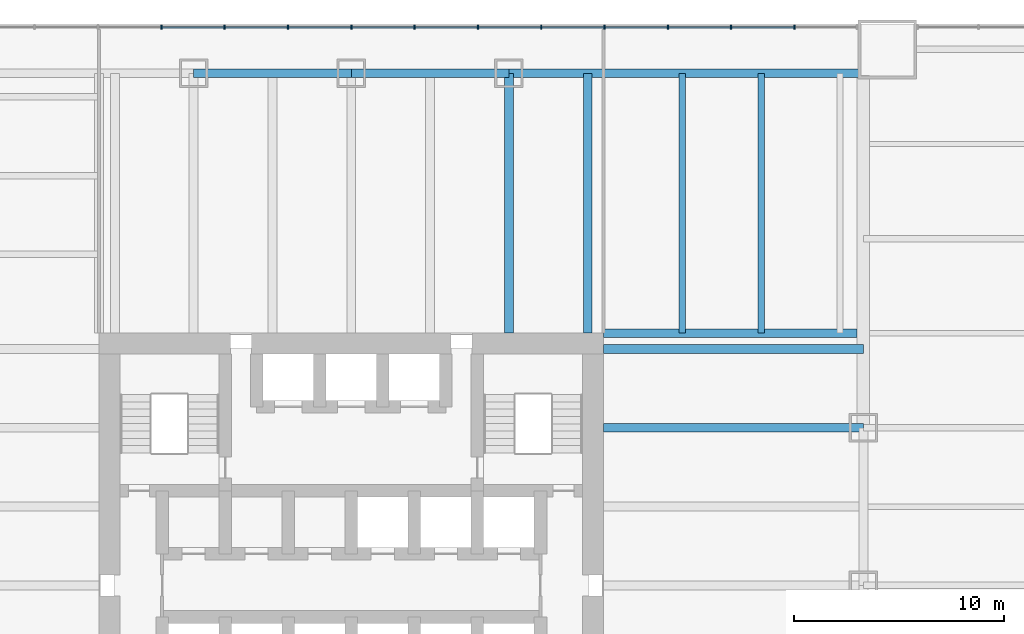
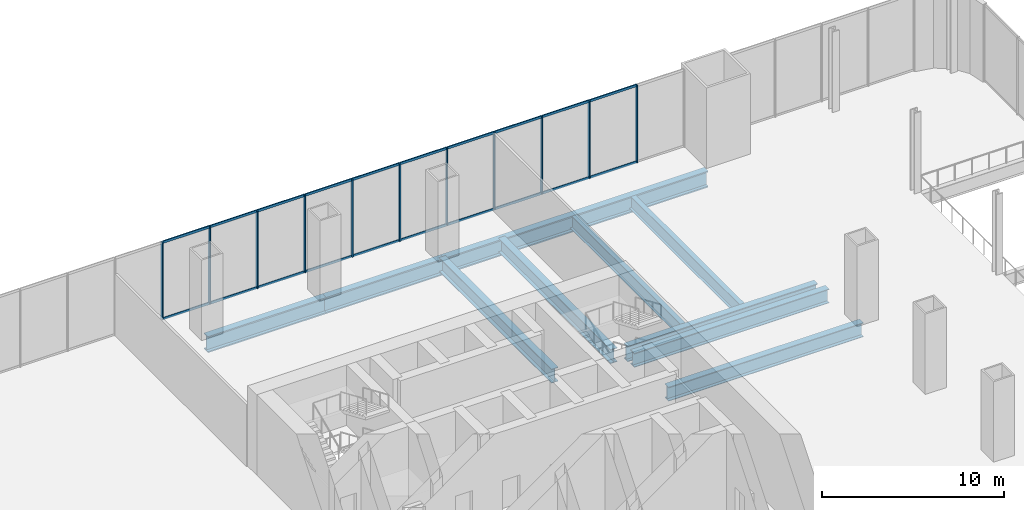
# One storey, part 8 of 17: 31 members, 10 beams, 1 element without a shape of its own.
"""IFC4 building model written with IfcOpenShell, lengths in metres."""

from ifc_helpers import new_model, si_unit, direction, frame, origin, origin_2d, place, context, subcontext, project, spatial, rectangle, i_section, extrude, material, material_profile, profile_set, type_object, element, aggregate, save


model = new_model("IFC4")

# Units and contexts
model_context = context("Model", 3, precision=1e-05, world=origin(), true_north=direction((0.0, 1.0)))
body_context = subcontext(model_context, "Body", "Model", "MODEL_VIEW")
ifc_project = project(units=[si_unit("LENGTHUNIT", "METRE"), si_unit("AREAUNIT", "SQUARE_METRE"), si_unit("VOLUMEUNIT", "CUBIC_METRE"), si_unit("PLANEANGLEUNIT", "RADIAN"), si_unit("MASSUNIT", "GRAM", prefix="KILO")], contexts=[model_context])

# Site, building, storey
site_placement = place(None, origin())
site = spatial("IfcSite", under=ifc_project, at=site_placement, CompositionType="ELEMENT")
building_placement = place(site_placement, origin())
building = spatial("IfcBuilding", under=site, at=building_placement, Name="Tarangal Relay Tower", CompositionType="ELEMENT")
storey_placement = place(building_placement, frame((0.0, 0.0, 18.0)))
storey = spatial("IfcBuildingStorey", under=building, at=storey_placement, Name="L03", CompositionType="ELEMENT", Elevation=18.0)

# Beams
ifc_material_1 = material(Name="Steel ASTM A992", Category="steel")
ifc_material_profile_1 = material_profile(ifc_material_1, i_section(OverallWidth=0.307373046875, OverallDepth=0.927001953125, WebThickness=0.019287109375, FlangeThickness=0.031982421875, at=origin_2d()), Name="W36X194")
ifc_profile_set_1 = profile_set([ifc_material_profile_1], Name="Steel ASTM A992")
beam_type_1 = type_object("IfcBeamType", Name="Corner beam W36X194", PredefinedType="JOIST", material=ifc_profile_set_1)
for number, where, z_axis, x_axis, name in (
    (1, (15.75, 12.0, -0.713623046875), (0.0, 1.0, 0.0), (-1.0, 0.0, 0.0), "Corner beam CB10 N L03"),
    (2, (19.5, 12.0, -0.713623046875), (0.0, 1.0, 0.0), (-1.0, 0.0, 0.0), "Corner beam CB10 N L03"),
):
    element("IfcBeam", number, at=place(storey_placement, frame(where, z_axis=z_axis, x_axis=x_axis)), inside=storey, type_object=beam_type_1, Name=name, PredefinedType="JOIST", context=body_context, shape_type="SweptSolid", body=[
        extrude(i_section(OverallWidth=0.307373046875, OverallDepth=0.927001953125, WebThickness=0.019287109375, FlangeThickness=0.031982421875, at=origin_2d()), origin(), (0.0, 0.0, 1.0), 12.364990234375),
    ])
ifc_material_profile_2 = material_profile(ifc_material_1, i_section(OverallWidth=0.408935546875, OverallDepth=1.04150390625, WebThickness=0.031005859375, FlangeThickness=0.055908203125, at=origin_2d()), Name="W40X397")
ifc_profile_set_2 = profile_set([ifc_material_profile_2], Name="Steel ASTM A992")
beam_type_2 = type_object("IfcBeamType", Name="Corner girder W40X397", PredefinedType="BEAM", material=ifc_profile_set_2)
beam_1_placement = place(storey_placement, frame((12.0, 12.0, -0.770751953125), z_axis=(1.0, 0.0, 0.0), x_axis=(0.0, 1.0, 0.0)))
element("IfcBeam", 3, at=beam_1_placement, inside=storey, type_object=beam_type_2, Name="Corner girder CG1 N L03", PredefinedType="BEAM", context=body_context, shape_type="SweptSolid", body=[
    extrude(i_section(OverallWidth=0.408935546875, OverallDepth=1.04150390625, WebThickness=0.031005859375, FlangeThickness=0.055908203125, at=origin_2d()), origin(), (0.0, 0.0, 1.0), 12.06494140625),
])
ifc_material_profile_3 = material_profile(ifc_material_1, i_section(OverallWidth=0.42431640625, OverallDepth=1.09228515625, WebThickness=0.04541015625, FlangeThickness=0.08203125, at=origin_2d()), Name="W40X593")
ifc_profile_set_3 = profile_set([ifc_material_profile_3], Name="Steel ASTM A992")
beam_type_3 = type_object("IfcBeamType", Name="Edge girder W40X593", PredefinedType="SPANDREL", material=ifc_profile_set_3)
for number, where, z_axis, x_axis, name in (
    (4, (-7.5, 24.364990234375, -0.796142578125), (1.0, 0.0, 0.0), (0.0, 1.0, 0.0), "Edge girder EG9 N L03"),
    (5, (0.0, 24.364990234375, -0.796142578125), (1.0, 0.0, 0.0), (0.0, 1.0, 0.0), "Edge girder EG9 N L03"),
):
    element("IfcBeam", number, at=place(storey_placement, frame(where, z_axis=z_axis, x_axis=x_axis)), inside=storey, type_object=beam_type_3, Name=name, PredefinedType="SPANDREL", context=body_context, shape_type="SweptSolid", body=[
        extrude(i_section(OverallWidth=0.42431640625, OverallDepth=1.09228515625, WebThickness=0.04541015625, FlangeThickness=0.08203125, at=origin_2d()), origin(), (0.0, 0.0, 1.0), 7.5),
    ])
beam_2_placement = place(storey_placement, frame((7.5, 24.364990234375, -0.796142578125), z_axis=(1.0, 0.0, 0.0), x_axis=(0.0, 1.0, 0.0)))
element("IfcBeam", 6, at=beam_2_placement, inside=storey, type_object=beam_type_3, Name="Edge girder EG9 N L03", PredefinedType="SPANDREL", context=body_context, shape_type="SweptSolid", body=[
    extrude(i_section(OverallWidth=0.42431640625, OverallDepth=1.09228515625, WebThickness=0.04541015625, FlangeThickness=0.08203125, at=origin_2d()), origin(), (0.0, 0.0, 1.0), 16.75),
])
ifc_material_profile_4 = material_profile(ifc_material_1, i_section(OverallWidth=0.42431640625, OverallDepth=0.947509765625, WebThickness=0.02392578125, FlangeThickness=0.042724609375, at=origin_2d()), Name="W36X302")
ifc_profile_set_4 = profile_set([ifc_material_profile_4], Name="Steel ASTM A992")
beam_type_4 = type_object("IfcBeamType", Name="Floor beam W36X302", PredefinedType="BEAM", material=ifc_profile_set_4)
for number, where, z_axis, x_axis, name in (
    (7, (7.5, 12.0, -0.7236328125), (0.0, 1.0, 0.0), (-1.0, 0.0, 0.0), "Floor beam RB10 N L03"),
    (8, (11.25, 12.0, -0.7236328125), (0.0, 1.0, 0.0), (-1.0, 0.0, 0.0), "Floor beam RB10 N L03"),
    (9, (12.0, 11.25, -0.7236328125), (1.0, 0.0, 0.0), (0.0, 1.0, 0.0), "Floor beam RB10 E L03"),
    (10, (12.0, 7.5, -0.7236328125), (1.0, 0.0, 0.0), (0.0, 1.0, 0.0), "Floor beam RB10 E L03"),
):
    element("IfcBeam", number, at=place(storey_placement, frame(where, z_axis=z_axis, x_axis=x_axis)), inside=storey, type_object=beam_type_4, Name=name, PredefinedType="BEAM", context=body_context, shape_type="SweptSolid", body=[
        extrude(i_section(OverallWidth=0.42431640625, OverallDepth=0.947509765625, WebThickness=0.02392578125, FlangeThickness=0.042724609375, at=origin_2d()), origin(), (0.0, 0.0, 1.0), 12.364990234375),
    ])

# Curtain wall, members
ifc_material_2 = material(Name="Unitised curtain wall, dark glass and black aluminium", Category="aluminium")
curtain_wall_type = type_object("IfcCurtainWallType", Name="Curtain wall CW-P", PredefinedType="USERDEFINED", material=ifc_material_2)
curtain_wall_placement = place(storey_placement, origin())
curtain_wall = element("IfcCurtainWall", 11, at=curtain_wall_placement, inside=storey, type_object=curtain_wall_type, Name="Curtain wall CW-P Podium N facade L03", ObjectType="UNITISED CURTAIN WALL", PredefinedType="USERDEFINED")
ifc_material_3 = material(Name="Black anodised aluminium mullion", Category="aluminium")
ifc_material_profile_5 = material_profile(ifc_material_3, rectangle(XDim=0.199951171875, YDim=0.070068359375, at=origin_2d()), Name="CW-PM 70X200")
ifc_profile_set_5 = profile_set([ifc_material_profile_5], Name="Black anodised aluminium mullion")
member_type_1 = type_object("IfcMemberType", Name="Mullion CW-P 70 x 200", PredefinedType="MULLION", material=ifc_profile_set_5)
member_1_placement = place(storey_placement, frame((21.08740234375, 26.550048828125, 0.0), z_axis=(0.0, 0.0, 1.0), x_axis=(0.0, -1.0, 0.0)))
member_1 = element("IfcMember", 12, at=member_1_placement, type_object=member_type_1, Name="CW-P mullion 2", PredefinedType="MULLION", context=body_context, shape_type="SweptSolid", body=[
    extrude(rectangle(XDim=0.199951171875, YDim=0.070068359375, at=origin_2d()), origin(), (0.0, 0.0, 1.0), 5.199951171875),
])
member_2_placement = place(storey_placement, frame((18.074951171875, 26.550048828125, 0.0), z_axis=(0.0, 0.0, 1.0), x_axis=(0.0, -1.0, 0.0)))
member_2 = element("IfcMember", 13, at=member_2_placement, type_object=member_type_1, Name="CW-P mullion 3", PredefinedType="MULLION", context=body_context, shape_type="SweptSolid", body=[
    extrude(rectangle(XDim=0.199951171875, YDim=0.070068359375, at=origin_2d()), origin(), (0.0, 0.0, 1.0), 5.199951171875),
])
member_3_placement = place(storey_placement, frame((15.0625, 26.550048828125, 0.0), z_axis=(0.0, 0.0, 1.0), x_axis=(0.0, -1.0, 0.0)))
member_3 = element("IfcMember", 14, at=member_3_placement, type_object=member_type_1, Name="CW-P mullion 4", PredefinedType="MULLION", context=body_context, shape_type="SweptSolid", body=[
    extrude(rectangle(XDim=0.199951171875, YDim=0.070068359375, at=origin_2d()), origin(), (0.0, 0.0, 1.0), 5.199951171875),
])
member_4_placement = place(storey_placement, frame((12.050048828125, 26.550048828125, 0.0), z_axis=(0.0, 0.0, 1.0), x_axis=(0.0, -1.0, 0.0)))
member_4 = element("IfcMember", 15, at=member_4_placement, type_object=member_type_1, Name="CW-P mullion 5", PredefinedType="MULLION", context=body_context, shape_type="SweptSolid", body=[
    extrude(rectangle(XDim=0.199951171875, YDim=0.070068359375, at=origin_2d()), origin(), (0.0, 0.0, 1.0), 5.199951171875),
])
member_5_placement = place(storey_placement, frame((9.03759765625, 26.550048828125, 0.0), z_axis=(0.0, 0.0, 1.0), x_axis=(0.0, -1.0, 0.0)))
member_5 = element("IfcMember", 16, at=member_5_placement, type_object=member_type_1, Name="CW-P mullion 6", PredefinedType="MULLION", context=body_context, shape_type="SweptSolid", body=[
    extrude(rectangle(XDim=0.199951171875, YDim=0.070068359375, at=origin_2d()), origin(), (0.0, 0.0, 1.0), 5.199951171875),
])
member_6_placement = place(storey_placement, frame((6.02490234375, 26.550048828125, 0.0), z_axis=(0.0, 0.0, 1.0), x_axis=(0.0, -1.0, 0.0)))
member_6 = element("IfcMember", 17, at=member_6_placement, type_object=member_type_1, Name="CW-P mullion 7", PredefinedType="MULLION", context=body_context, shape_type="SweptSolid", body=[
    extrude(rectangle(XDim=0.199951171875, YDim=0.070068359375, at=origin_2d()), origin(), (0.0, 0.0, 1.0), 5.199951171875),
])
member_7_placement = place(storey_placement, frame((3.012451171875, 26.550048828125, 0.0), z_axis=(0.0, 0.0, 1.0), x_axis=(0.0, -1.0, 0.0)))
member_7 = element("IfcMember", 18, at=member_7_placement, type_object=member_type_1, Name="CW-P mullion 8", PredefinedType="MULLION", context=body_context, shape_type="SweptSolid", body=[
    extrude(rectangle(XDim=0.199951171875, YDim=0.070068359375, at=origin_2d()), origin(), (0.0, 0.0, 1.0), 5.199951171875),
])
member_8_placement = place(storey_placement, frame((0.0, 26.550048828125, 0.0), z_axis=(0.0, 0.0, 1.0), x_axis=(0.0, -1.0, 0.0)))
member_8 = element("IfcMember", 19, at=member_8_placement, type_object=member_type_1, Name="CW-P mullion 9", PredefinedType="MULLION", context=body_context, shape_type="SweptSolid", body=[
    extrude(rectangle(XDim=0.199951171875, YDim=0.070068359375, at=origin_2d()), origin(), (0.0, 0.0, 1.0), 5.199951171875),
])
member_9_placement = place(storey_placement, frame((-3.012451171875, 26.550048828125, 0.0), z_axis=(0.0, 0.0, 1.0), x_axis=(0.0, -1.0, 0.0)))
member_9 = element("IfcMember", 20, at=member_9_placement, type_object=member_type_1, Name="CW-P mullion 10", PredefinedType="MULLION", context=body_context, shape_type="SweptSolid", body=[
    extrude(rectangle(XDim=0.199951171875, YDim=0.070068359375, at=origin_2d()), origin(), (0.0, 0.0, 1.0), 5.199951171875),
])
member_10_placement = place(storey_placement, frame((-6.02490234375, 26.550048828125, 0.0), z_axis=(0.0, 0.0, 1.0), x_axis=(0.0, -1.0, 0.0)))
member_10 = element("IfcMember", 21, at=member_10_placement, type_object=member_type_1, Name="CW-P mullion 11", PredefinedType="MULLION", context=body_context, shape_type="SweptSolid", body=[
    extrude(rectangle(XDim=0.199951171875, YDim=0.070068359375, at=origin_2d()), origin(), (0.0, 0.0, 1.0), 5.199951171875),
])
member_11_placement = place(storey_placement, frame((-9.03759765625, 26.550048828125, 0.0), z_axis=(0.0, 0.0, 1.0), x_axis=(0.0, -1.0, 0.0)))
member_11 = element("IfcMember", 22, at=member_11_placement, type_object=member_type_1, Name="CW-P mullion 12", PredefinedType="MULLION", context=body_context, shape_type="SweptSolid", body=[
    extrude(rectangle(XDim=0.199951171875, YDim=0.070068359375, at=origin_2d()), origin(), (0.0, 0.0, 1.0), 5.199951171875),
])
ifc_material_4 = material(Name="Black anodised aluminium transom", Category="aluminium")
ifc_material_profile_6 = material_profile(ifc_material_4, rectangle(XDim=0.070068359375, YDim=0.159912109375, at=origin_2d()), Name="CW-PT 70X160")
ifc_profile_set_6 = profile_set([ifc_material_profile_6], Name="Black anodised aluminium transom")
member_type_2 = type_object("IfcMemberType", Name="Transom CW-P 70 x 160", PredefinedType="USERDEFINED", material=ifc_profile_set_6)
member_12_placement = place(storey_placement, frame((21.052490234375, 26.550048828125, 0.034912109375), z_axis=(-1.0, 0.0, 0.0), x_axis=(0.0, -1.0, 0.0)))
member_12 = element("IfcMember", 23, at=member_12_placement, type_object=member_type_2, Name="CW-P transom 2.1", ObjectType="TRANSOM", PredefinedType="USERDEFINED", context=body_context, shape_type="SweptSolid", body=[
    extrude(rectangle(XDim=0.070068359375, YDim=0.159912109375, at=origin_2d()), origin(), (0.0, 0.0, 1.0), 2.9423828125),
])
member_13_placement = place(storey_placement, frame((21.052490234375, 26.550048828125, 5.1650390625), z_axis=(-1.0, 0.0, 0.0), x_axis=(0.0, -1.0, 0.0)))
member_13 = element("IfcMember", 24, at=member_13_placement, type_object=member_type_2, Name="CW-P transom 2.2", ObjectType="TRANSOM", PredefinedType="USERDEFINED", context=body_context, shape_type="SweptSolid", body=[
    extrude(rectangle(XDim=0.070068359375, YDim=0.159912109375, at=origin_2d()), origin(), (0.0, 0.0, 1.0), 2.9423828125),
])
member_14_placement = place(storey_placement, frame((18.0400390625, 26.550048828125, 0.034912109375), z_axis=(-1.0, 0.0, 0.0), x_axis=(0.0, -1.0, 0.0)))
member_14 = element("IfcMember", 25, at=member_14_placement, type_object=member_type_2, Name="CW-P transom 3.1", ObjectType="TRANSOM", PredefinedType="USERDEFINED", context=body_context, shape_type="SweptSolid", body=[
    extrude(rectangle(XDim=0.070068359375, YDim=0.159912109375, at=origin_2d()), origin(), (0.0, 0.0, 1.0), 2.942626953125),
])
member_15_placement = place(storey_placement, frame((18.0400390625, 26.550048828125, 5.1650390625), z_axis=(-1.0, 0.0, 0.0), x_axis=(0.0, -1.0, 0.0)))
member_15 = element("IfcMember", 26, at=member_15_placement, type_object=member_type_2, Name="CW-P transom 3.2", ObjectType="TRANSOM", PredefinedType="USERDEFINED", context=body_context, shape_type="SweptSolid", body=[
    extrude(rectangle(XDim=0.070068359375, YDim=0.159912109375, at=origin_2d()), origin(), (0.0, 0.0, 1.0), 2.942626953125),
])
member_16_placement = place(storey_placement, frame((15.027587890625, 26.550048828125, 0.034912109375), z_axis=(-1.0, 0.0, 0.0), x_axis=(0.0, -1.0, 0.0)))
member_16 = element("IfcMember", 27, at=member_16_placement, type_object=member_type_2, Name="CW-P transom 4.1", ObjectType="TRANSOM", PredefinedType="USERDEFINED", context=body_context, shape_type="SweptSolid", body=[
    extrude(rectangle(XDim=0.070068359375, YDim=0.159912109375, at=origin_2d()), origin(), (0.0, 0.0, 1.0), 2.942626953125),
])
member_17_placement = place(storey_placement, frame((15.027587890625, 26.550048828125, 5.1650390625), z_axis=(-1.0, 0.0, 0.0), x_axis=(0.0, -1.0, 0.0)))
member_17 = element("IfcMember", 28, at=member_17_placement, type_object=member_type_2, Name="CW-P transom 4.2", ObjectType="TRANSOM", PredefinedType="USERDEFINED", context=body_context, shape_type="SweptSolid", body=[
    extrude(rectangle(XDim=0.070068359375, YDim=0.159912109375, at=origin_2d()), origin(), (0.0, 0.0, 1.0), 2.942626953125),
])
member_18_placement = place(storey_placement, frame((12.014892578125, 26.550048828125, 0.034912109375), z_axis=(-1.0, 0.0, 0.0), x_axis=(0.0, -1.0, 0.0)))
member_18 = element("IfcMember", 29, at=member_18_placement, type_object=member_type_2, Name="CW-P transom 5.1", ObjectType="TRANSOM", PredefinedType="USERDEFINED", context=body_context, shape_type="SweptSolid", body=[
    extrude(rectangle(XDim=0.070068359375, YDim=0.159912109375, at=origin_2d()), origin(), (0.0, 0.0, 1.0), 2.9423828125),
])
member_19_placement = place(storey_placement, frame((12.014892578125, 26.550048828125, 5.1650390625), z_axis=(-1.0, 0.0, 0.0), x_axis=(0.0, -1.0, 0.0)))
member_19 = element("IfcMember", 30, at=member_19_placement, type_object=member_type_2, Name="CW-P transom 5.2", ObjectType="TRANSOM", PredefinedType="USERDEFINED", context=body_context, shape_type="SweptSolid", body=[
    extrude(rectangle(XDim=0.070068359375, YDim=0.159912109375, at=origin_2d()), origin(), (0.0, 0.0, 1.0), 2.9423828125),
])
member_20_placement = place(storey_placement, frame((9.00244140625, 26.550048828125, 0.034912109375), z_axis=(-1.0, 0.0, 0.0), x_axis=(0.0, -1.0, 0.0)))
member_20 = element("IfcMember", 31, at=member_20_placement, type_object=member_type_2, Name="CW-P transom 6.1", ObjectType="TRANSOM", PredefinedType="USERDEFINED", context=body_context, shape_type="SweptSolid", body=[
    extrude(rectangle(XDim=0.070068359375, YDim=0.159912109375, at=origin_2d()), origin(), (0.0, 0.0, 1.0), 2.9423828125),
])
member_21_placement = place(storey_placement, frame((9.00244140625, 26.550048828125, 5.1650390625), z_axis=(-1.0, 0.0, 0.0), x_axis=(0.0, -1.0, 0.0)))
member_21 = element("IfcMember", 32, at=member_21_placement, type_object=member_type_2, Name="CW-P transom 6.2", ObjectType="TRANSOM", PredefinedType="USERDEFINED", context=body_context, shape_type="SweptSolid", body=[
    extrude(rectangle(XDim=0.070068359375, YDim=0.159912109375, at=origin_2d()), origin(), (0.0, 0.0, 1.0), 2.9423828125),
])
member_22_placement = place(storey_placement, frame((5.989990234375, 26.550048828125, 0.034912109375), z_axis=(-1.0, 0.0, 0.0), x_axis=(0.0, -1.0, 0.0)))
member_22 = element("IfcMember", 33, at=member_22_placement, type_object=member_type_2, Name="CW-P transom 7.1", ObjectType="TRANSOM", PredefinedType="USERDEFINED", context=body_context, shape_type="SweptSolid", body=[
    extrude(rectangle(XDim=0.070068359375, YDim=0.159912109375, at=origin_2d()), origin(), (0.0, 0.0, 1.0), 2.9423828125),
])
member_23_placement = place(storey_placement, frame((5.989990234375, 26.550048828125, 5.1650390625), z_axis=(-1.0, 0.0, 0.0), x_axis=(0.0, -1.0, 0.0)))
member_23 = element("IfcMember", 34, at=member_23_placement, type_object=member_type_2, Name="CW-P transom 7.2", ObjectType="TRANSOM", PredefinedType="USERDEFINED", context=body_context, shape_type="SweptSolid", body=[
    extrude(rectangle(XDim=0.070068359375, YDim=0.159912109375, at=origin_2d()), origin(), (0.0, 0.0, 1.0), 2.9423828125),
])
member_24_placement = place(storey_placement, frame((2.9775390625, 26.550048828125, 0.034912109375), z_axis=(-1.0, 0.0, 0.0), x_axis=(0.0, -1.0, 0.0)))
member_24 = element("IfcMember", 35, at=member_24_placement, type_object=member_type_2, Name="CW-P transom 8.1", ObjectType="TRANSOM", PredefinedType="USERDEFINED", context=body_context, shape_type="SweptSolid", body=[
    extrude(rectangle(XDim=0.070068359375, YDim=0.159912109375, at=origin_2d()), origin(), (0.0, 0.0, 1.0), 2.942626953125),
])
member_25_placement = place(storey_placement, frame((2.9775390625, 26.550048828125, 5.1650390625), z_axis=(-1.0, 0.0, 0.0), x_axis=(0.0, -1.0, 0.0)))
member_25 = element("IfcMember", 36, at=member_25_placement, type_object=member_type_2, Name="CW-P transom 8.2", ObjectType="TRANSOM", PredefinedType="USERDEFINED", context=body_context, shape_type="SweptSolid", body=[
    extrude(rectangle(XDim=0.070068359375, YDim=0.159912109375, at=origin_2d()), origin(), (0.0, 0.0, 1.0), 2.942626953125),
])
member_26_placement = place(storey_placement, frame((-0.034912109375, 26.550048828125, 0.034912109375), z_axis=(-1.0, 0.0, 0.0), x_axis=(0.0, -1.0, 0.0)))
member_26 = element("IfcMember", 37, at=member_26_placement, type_object=member_type_2, Name="CW-P transom 9.1", ObjectType="TRANSOM", PredefinedType="USERDEFINED", context=body_context, shape_type="SweptSolid", body=[
    extrude(rectangle(XDim=0.070068359375, YDim=0.159912109375, at=origin_2d()), origin(), (0.0, 0.0, 1.0), 2.942626953125),
])
member_27_placement = place(storey_placement, frame((-0.034912109375, 26.550048828125, 5.1650390625), z_axis=(-1.0, 0.0, 0.0), x_axis=(0.0, -1.0, 0.0)))
member_27 = element("IfcMember", 38, at=member_27_placement, type_object=member_type_2, Name="CW-P transom 9.2", ObjectType="TRANSOM", PredefinedType="USERDEFINED", context=body_context, shape_type="SweptSolid", body=[
    extrude(rectangle(XDim=0.070068359375, YDim=0.159912109375, at=origin_2d()), origin(), (0.0, 0.0, 1.0), 2.942626953125),
])
member_28_placement = place(storey_placement, frame((-3.047607421875, 26.550048828125, 0.034912109375), z_axis=(-1.0, 0.0, 0.0), x_axis=(0.0, -1.0, 0.0)))
member_28 = element("IfcMember", 39, at=member_28_placement, type_object=member_type_2, Name="CW-P transom 10.1", ObjectType="TRANSOM", PredefinedType="USERDEFINED", context=body_context, shape_type="SweptSolid", body=[
    extrude(rectangle(XDim=0.070068359375, YDim=0.159912109375, at=origin_2d()), origin(), (0.0, 0.0, 1.0), 2.9423828125),
])
member_29_placement = place(storey_placement, frame((-3.047607421875, 26.550048828125, 5.1650390625), z_axis=(-1.0, 0.0, 0.0), x_axis=(0.0, -1.0, 0.0)))
member_29 = element("IfcMember", 40, at=member_29_placement, type_object=member_type_2, Name="CW-P transom 10.2", ObjectType="TRANSOM", PredefinedType="USERDEFINED", context=body_context, shape_type="SweptSolid", body=[
    extrude(rectangle(XDim=0.070068359375, YDim=0.159912109375, at=origin_2d()), origin(), (0.0, 0.0, 1.0), 2.9423828125),
])
member_30_placement = place(storey_placement, frame((-6.06005859375, 26.550048828125, 0.034912109375), z_axis=(-1.0, 0.0, 0.0), x_axis=(0.0, -1.0, 0.0)))
member_30 = element("IfcMember", 41, at=member_30_placement, type_object=member_type_2, Name="CW-P transom 11.1", ObjectType="TRANSOM", PredefinedType="USERDEFINED", context=body_context, shape_type="SweptSolid", body=[
    extrude(rectangle(XDim=0.070068359375, YDim=0.159912109375, at=origin_2d()), origin(), (0.0, 0.0, 1.0), 2.9423828125),
])
member_31_placement = place(storey_placement, frame((-6.06005859375, 26.550048828125, 5.1650390625), z_axis=(-1.0, 0.0, 0.0), x_axis=(0.0, -1.0, 0.0)))
member_31 = element("IfcMember", 42, at=member_31_placement, type_object=member_type_2, Name="CW-P transom 11.2", ObjectType="TRANSOM", PredefinedType="USERDEFINED", context=body_context, shape_type="SweptSolid", body=[
    extrude(rectangle(XDim=0.070068359375, YDim=0.159912109375, at=origin_2d()), origin(), (0.0, 0.0, 1.0), 2.9423828125),
])
aggregate(curtain_wall, [member_1, member_2, member_3, member_4, member_5, member_6, member_7, member_8, member_9, member_10, member_11, member_12, member_13, member_14, member_15, member_16, member_17, member_18, member_19, member_20, member_21, member_22, member_23, member_24, member_25, member_26, member_27, member_28, member_29, member_30, member_31])

save(model, "model.ifc")
